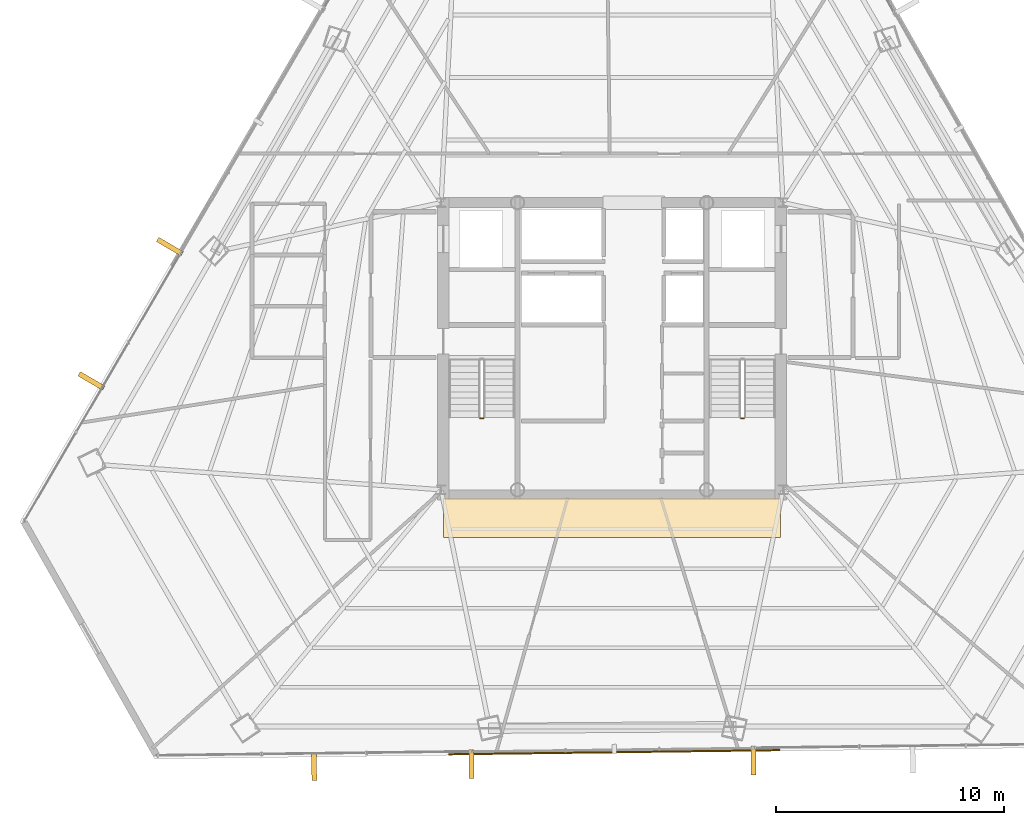
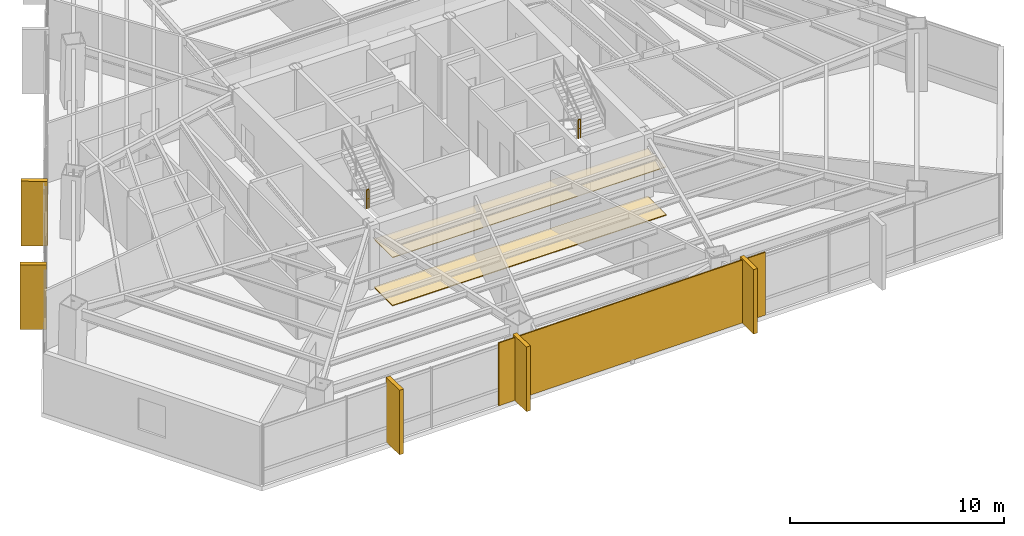
# One storey, part 39 of 41: 7 coverings, 2 railings, 1 shading device.
"""IFC4 building model written with IfcOpenShell, lengths in metres."""

from ifc_helpers import new_model, si_unit, direction, frame, origin, origin_2d, place, context, subcontext, project, spatial, polyline, rectangle, outline, extrude, source, transform, mapped, material, layer, layer_set, type_object, type_shapes, element, save


model = new_model("IFC4")

# Units and contexts
model_context = context("Model", 3, precision=1e-05, world=origin(), true_north=direction((0.0, 1.0)))
body_context = subcontext(model_context, "Body", "Model", "MODEL_VIEW")
ifc_project = project(units=[si_unit("LENGTHUNIT", "METRE"), si_unit("AREAUNIT", "SQUARE_METRE"), si_unit("VOLUMEUNIT", "CUBIC_METRE"), si_unit("PLANEANGLEUNIT", "RADIAN"), si_unit("MASSUNIT", "GRAM", prefix="KILO")], contexts=[model_context])

# Site, building, storey
site_placement = place(None, origin())
site = spatial("IfcSite", under=ifc_project, at=site_placement, CompositionType="ELEMENT")
building_placement = place(site_placement, origin())
building = spatial("IfcBuilding", under=site, at=building_placement, Name="Caelisora Broadcast Tower", CompositionType="ELEMENT")
storey_placement = place(building_placement, frame((0.0, 0.0, 135.449951171875)))
storey = spatial("IfcBuildingStorey", under=building, at=storey_placement, Name="L35", CompositionType="ELEMENT", Elevation=135.449951171875)

# Coverings
ifc_material_1 = material(Name="Perforated Mineral-Fibre Acoustic Ceiling Tile", Category="gypsum")
ifc_layer_1 = layer(ifc_material_1, 0.034912109375, Name="Perforated Mineral-Fibre Acoustic Ceiling Tile")
ifc_layer_set_1 = layer_set([ifc_layer_1], Name="Perforated Mineral-Fibre Acoustic Ceiling Tile")
covering_type_1 = type_object("IfcCoveringType", Name="CE-1", PredefinedType="CEILING", material=ifc_layer_set_1)
covering_1_placement = place(storey_placement, frame((0.0, 0.0, 2.75)))
element("IfcCovering", 1, at=covering_1_placement, inside=storey, type_object=covering_type_1, Name="L35 acoustic corridor ceiling CE-1 (S)", PredefinedType="CEILING", context=body_context, shape_type="SweptSolid", body=[
    extrude(outline(polyline([(30.60009765625, 15.300048828125), (45.39990234375, 15.300048828125), (45.39990234375, 17.050048828125), (30.60009765625, 17.050048828125), (30.60009765625, 15.300048828125)])), origin(), (0.0, 0.0, 1.0), 0.03515625),
])
ifc_material_2 = material(Name="Anti-Static Broadcast Raised Access Floor Panel", Category="steel")
ifc_layer_2 = layer(ifc_material_2, 0.044921875, Name="Anti-Static Broadcast Raised Access Floor Panel")
ifc_layer_set_2 = layer_set([ifc_layer_2], Name="Anti-Static Broadcast Raised Access Floor Panel")
covering_type_2 = type_object("IfcCoveringType", Name="FL-1", PredefinedType="FLOORING", material=ifc_layer_set_2)
covering_2_placement = place(storey_placement, origin())
element("IfcCovering", 2, at=covering_2_placement, inside=storey, type_object=covering_type_2, Name="L35 broadcast raised access floor FL-1 (S)", PredefinedType="FLOORING", context=body_context, shape_type="SweptSolid", body=[
    extrude(outline(polyline([(30.60009765625, 15.300048828125), (45.39990234375, 15.300048828125), (45.39990234375, 17.050048828125), (30.60009765625, 17.050048828125), (30.60009765625, 15.300048828125)])), origin(), (0.0, 0.0, 1.0), 0.045166015625),
])

# Railings
ifc_material_3 = material(Name="Galvanised Steel Safety Guardrail", Category="steel")
ifc_layer_3 = layer(ifc_material_3, 0.048095703125, Name="Galvanised Steel Safety Guardrail")
ifc_layer_set_3 = layer_set([ifc_layer_3], Name="Galvanised Steel Safety Guardrail")
railing_type = type_object("IfcRailingType", Name="GR-1", PredefinedType="GUARDRAIL", material=ifc_layer_set_3)
for number, where, name in (
    (3, (32.219970703125, 20.530029296875, 1.824951171875), "L35 ST-1 stair guard 2"),
    (4, (43.659912109375, 20.530029296875, 1.824951171875), "L35 ST-2 stair guard 2"),
):
    element("IfcRailing", number, at=place(storey_placement, frame(where)), inside=storey, type_object=railing_type, Name=name, PredefinedType="GUARDRAIL", context=body_context, shape_type="SweptSolid", body=[
        extrude(rectangle(XDim=0.048095703125, YDim=0.048095703125, at=origin_2d()), frame((0.0, 0.0, 1.076171875), z_axis=(1.0, 0.0, 0.0), x_axis=(0.0, 1.0, 0.0)), (0.0, 0.0, 1.0), 0.1201171875),
        extrude(rectangle(XDim=0.03125, YDim=0.03125, at=origin_2d()), frame((0.0, 0.0, 0.550048828125), z_axis=(1.0, 0.0, 0.0), x_axis=(0.0, 1.0, 0.0)), (0.0, 0.0, 1.0), 0.1201171875),
        extrude(rectangle(XDim=0.0419921875, YDim=0.0419921875, at=origin_2d()), origin(), (0.0, 0.0, 1.0), 1.052001953125),
        extrude(rectangle(XDim=0.0419921875, YDim=0.0419921875, at=origin_2d()), frame((0.1201171875, 0.0, 0.0)), (0.0, 0.0, 1.0), 1.052001953125),
    ])

# Coverings
ifc_material_4 = material(Name="Kiln-Fired Terracotta Spandrel Rainscreen Cladding", Category="ceramic")
ifc_layer_4 = layer(ifc_material_4, 0.044921875, Name="Kiln-Fired Terracotta Spandrel Rainscreen Cladding")
ifc_layer_set_4 = layer_set([ifc_layer_4], Name="Kiln-Fired Terracotta Spandrel Rainscreen Cladding")
covering_type_3 = type_object("IfcCoveringType", Name="CL-1", PredefinedType="CLADDING", material=ifc_layer_set_4)
shared_shape_1 = source(origin(), body_context, "Body", "SweptSolid", [
    extrude(rectangle(XDim=0.219970703125, YDim=1.25, at=origin_2d()), origin(), (0.0, 0.0, 1.0), 3.68994140625),
])
type_shapes(covering_type_3, [shared_shape_1])
for number, where, z_axis, x_axis, name in (
    (5, (44.20458984375, 5.511962890625, -0.02001953125), (0.0, 0.0, 1.0), (-0.999921044204, -0.012566039883, 0.0), "L35 vertical solar fin cladding #2-2"),
    (6, (31.833251953125, 5.35595703125, -0.02001953125), (0.0, 0.0, 1.0), (-0.999921044204, -0.012566039883, 0.0), "L35 vertical solar fin cladding #2-3"),
    (7, (24.9296875, 5.26904296875, -0.02001953125), (0.0, 0.0, 1.0), (-0.999921044204, -0.012566039883, 0.0), "L35 vertical solar fin cladding #2-4"),
    (8, (15.156982421875, 22.175048828125, -0.02001953125), (0.0, 0.0, 1.0), (0.504527623815, 0.863395550607, 0.0), "L35 vertical solar fin cladding #3-1"),
    (9, (18.6005859375, 28.0673828125, -0.02001953125), (0.0, 0.0, 1.0), (0.504527623815, 0.863395550607, 0.0), "L35 vertical solar fin cladding #3-2"),
):
    element("IfcCovering", number, at=place(storey_placement, frame(where, z_axis=z_axis, x_axis=x_axis)), inside=storey, type_object=covering_type_3, Name=name, PredefinedType="CLADDING", context=body_context, shape_type="MappedRepresentation", body=[
        mapped(shared_shape_1, transform((0.0, 0.0, 0.0), scale=1.0)),
    ])

# Shading device
ifc_material_5 = material(Name="Perforated Glazed Terracotta Baguette Solar Screen", Category="ceramic")
ifc_layer_5 = layer(ifc_material_5, 0.06494140625, Name="Perforated Glazed Terracotta Baguette Solar Screen")
ifc_layer_set_5 = layer_set([ifc_layer_5], Name="Perforated Glazed Terracotta Baguette Solar Screen")
shading_device_type = type_object("IfcShadingDeviceType", Name="SS-1", PredefinedType="USERDEFINED", material=ifc_layer_set_5)
shared_shape_2 = source(origin(), body_context, "Body", "SweptSolid", [
    extrude(rectangle(XDim=14.52197265625, YDim=0.06494140625, at=origin_2d()), origin(), (0.0, 0.0, 1.0), 3.590087890625),
])
type_shapes(shading_device_type, [shared_shape_2])
shading_device_placement = place(storey_placement, frame((38.09912109375, 5.885009765625, 0.0), z_axis=(0.0, 0.0, 1.0), x_axis=(0.999921044204, 0.012566039883, 0.0)))
element("IfcShadingDevice", 10, at=shading_device_placement, inside=storey, type_object=shading_device_type, Name="L35 perforated terracotta solar screen #2", ObjectType="SOLAR SCREEN", PredefinedType="USERDEFINED", context=body_context, shape_type="MappedRepresentation", body=[
    mapped(shared_shape_2, transform((0.0, 0.0, 0.0), scale=1.0)),
])

save(model, "model.ifc")
